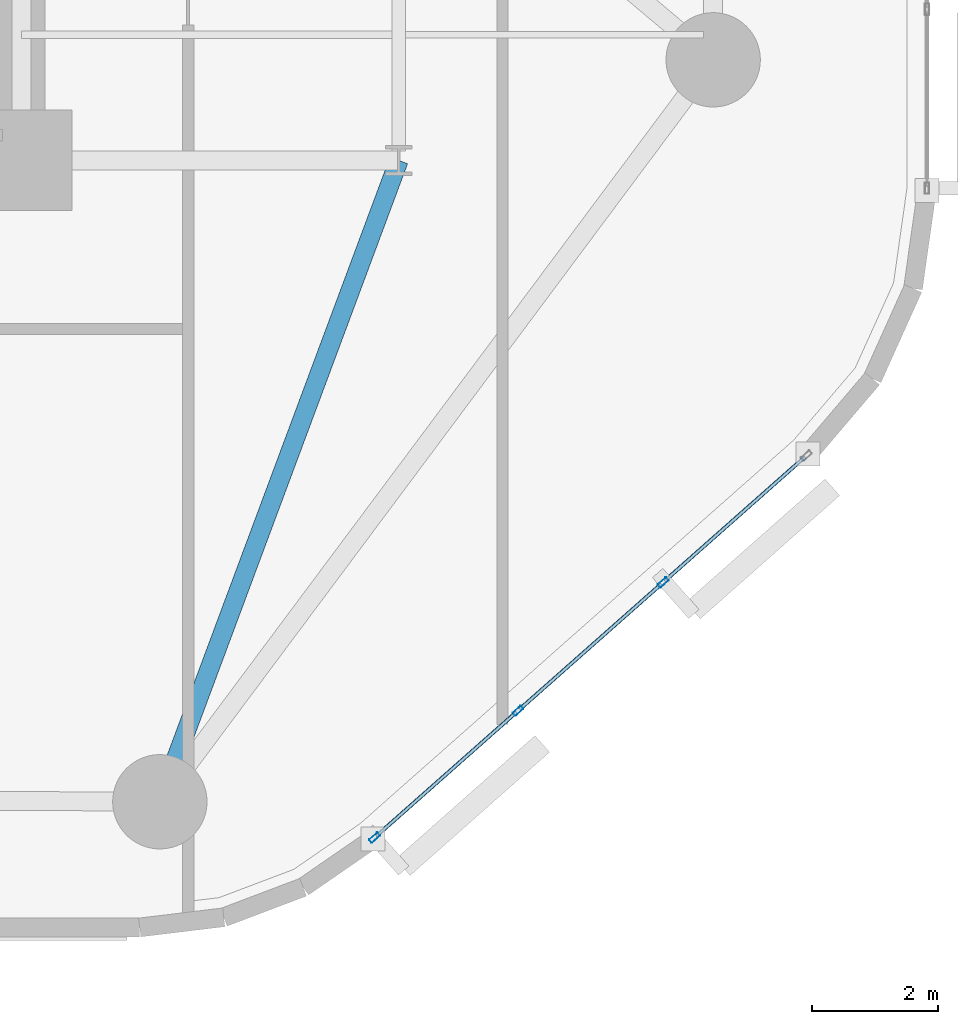
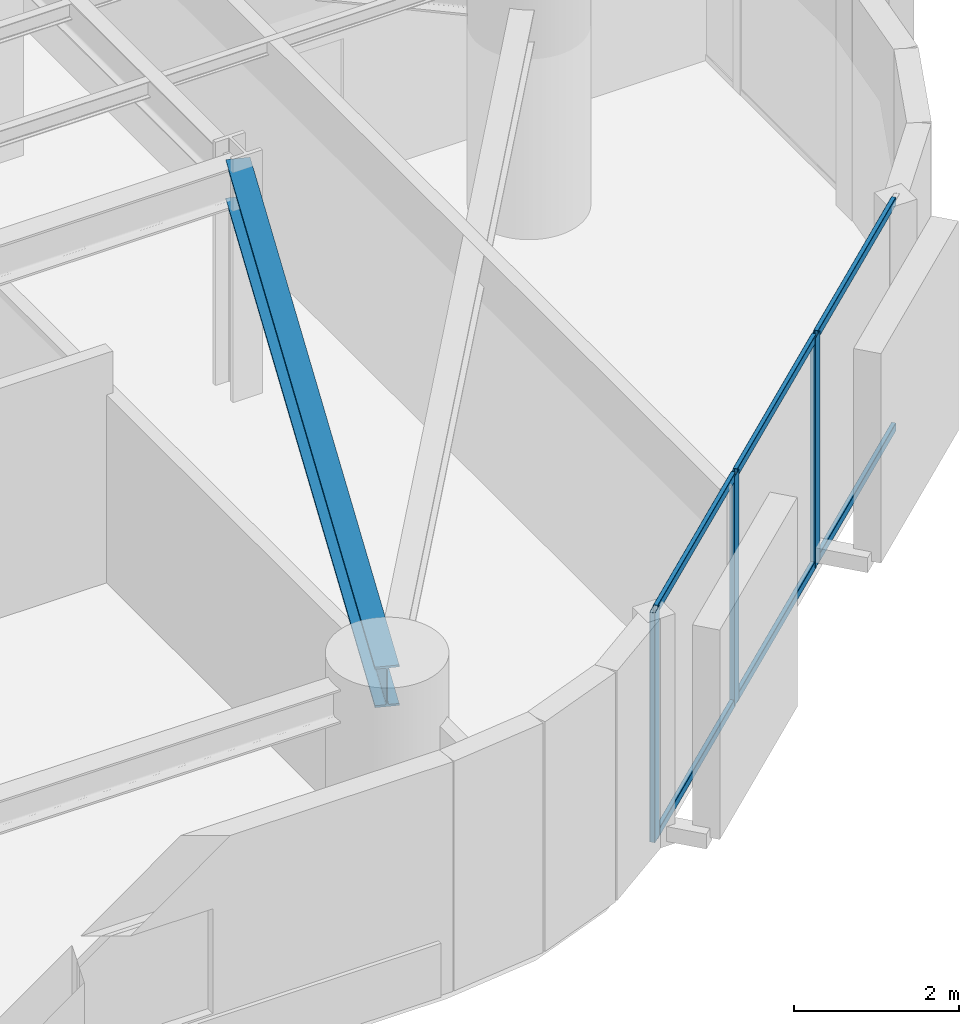
# One storey, part 2 of 16: 9 members, 1 beam, 1 element without a shape of its own.
"""IFC4 building model written with IfcOpenShell, lengths in metres."""

from ifc_helpers import new_model, si_unit, direction, frame, origin, origin_2d, place, context, subcontext, project, spatial, hollow_rectangle, i_section, extrude, material, layer, layer_set, material_profile, profile_set, type_object, element, aggregate, save


model = new_model("IFC4")

# Units and contexts
model_context = context("Model", 3, precision=1e-05, world=origin(), true_north=direction((0.0, 1.0)))
body_context = subcontext(model_context, "Body", "Model", "MODEL_VIEW")
ifc_project = project(units=[si_unit("LENGTHUNIT", "METRE"), si_unit("AREAUNIT", "SQUARE_METRE"), si_unit("VOLUMEUNIT", "CUBIC_METRE"), si_unit("PLANEANGLEUNIT", "RADIAN"), si_unit("MASSUNIT", "GRAM", prefix="KILO")], contexts=[model_context])

# Site, building, storey
site_placement = place(None, origin())
site = spatial("IfcSite", under=ifc_project, at=site_placement, CompositionType="ELEMENT")
building_placement = place(site_placement, origin())
building = spatial("IfcBuilding", under=site, at=building_placement, Name="An Khanh Terracotta Commons", CompositionType="ELEMENT")
storey_placement = place(building_placement, frame((0.0, 0.0, 54.0)))
storey = spatial("IfcBuildingStorey", under=building, at=storey_placement, Name="L14", CompositionType="ELEMENT", Elevation=54.0)

# Beam
ifc_material_1 = material(Name="Steel S355J2", Category="steel")
ifc_material_profile_1 = material_profile(ifc_material_1, i_section(OverallWidth=0.300048828125, OverallDepth=0.60009765625, WebThickness=0.015380859375, FlangeThickness=0.030029296875, FilletRadius=0.027099609375, at=origin_2d()), Name="HEB600")
ifc_profile_set_1 = profile_set([ifc_material_profile_1], Name="Steel S355J2")
beam_type = type_object("IfcBeamType", Name="BM-HEB600", PredefinedType="BEAM", material=ifc_profile_set_1)
beam_placement = place(storey_placement, frame((39.39990234375, 4.199951171875, 3.10009765625), z_axis=(0.349114429862, 0.937080100558, 0.0), x_axis=(-0.937080100558, 0.349114429862, 0.0)))
element("IfcBeam", 1, at=beam_placement, inside=storey, type_object=beam_type, Name="L14 Mega-Column Tie Girder 2", PredefinedType="BEAM", context=body_context, shape_type="SweptSolid", body=[
    extrude(i_section(OverallWidth=0.300048828125, OverallDepth=0.60009765625, WebThickness=0.015380859375, FlangeThickness=0.030029296875, FilletRadius=0.027099609375, at=origin_2d()), origin(), (0.0, 0.0, 1.0), 10.884765625),
])

# Curtain wall, members
ifc_material_2 = material(Name="Anodised Aluminium 6063-T6", Category="aluminium")
ifc_layer = layer(ifc_material_2, 0.199951171875, Name="Anodised Aluminium 6063-T6")
ifc_layer_set = layer_set([ifc_layer], Name="Anodised Aluminium 6063-T6")
curtain_wall_type = type_object("IfcCurtainWallType", Name="CW-SYS-02", PredefinedType="USERDEFINED", material=ifc_layer_set)
curtain_wall_placement = place(storey_placement, origin())
curtain_wall = element("IfcCurtainWall", 2, at=curtain_wall_placement, inside=storey, type_object=curtain_wall_type, Name="L14 CW-02 Unitised Curtain Wall CW-L14-08", ObjectType="UNITISED CURTAIN WALL", PredefinedType="USERDEFINED")
ifc_material_profile_2 = material_profile(ifc_material_2, hollow_rectangle(XDim=0.070068359375, YDim=0.179931640625, WallThickness=0.00390625, InnerFilletRadius=0.00390625, OuterFilletRadius=0.008056640625, at=origin_2d()), Name="RHS180x70x4")
ifc_profile_set_2 = profile_set([ifc_material_profile_2], Name="Anodised Aluminium 6063-T6")
member_type_1 = type_object("IfcMemberType", Name="CWM-RHS180x70x4", PredefinedType="MULLION", material=ifc_profile_set_2)
member_1_placement = place(storey_placement, frame((42.815185546875, 3.629150390625, 0.0), z_axis=(0.0, 0.0, 1.0), x_axis=(-0.662548195415, 0.749019284633, 0.0)))
member_1 = element("IfcMember", 3, at=member_1_placement, type_object=member_type_1, Name="CW-02 mullion 1", PredefinedType="MULLION", context=body_context, shape_type="SweptSolid", body=[
    extrude(hollow_rectangle(XDim=0.070068359375, YDim=0.179931640625, WallThickness=0.00390625, InnerFilletRadius=0.00390625, OuterFilletRadius=0.008056640625, at=origin_2d()), origin(), (0.0, 0.0, 1.0), 3.39990234375),
])
member_2_placement = place(storey_placement, frame((45.095947265625, 5.646728515625, 0.0), z_axis=(0.0, 0.0, 1.0), x_axis=(-0.662548195415, 0.749019284633, 0.0)))
member_2 = element("IfcMember", 4, at=member_2_placement, type_object=member_type_1, Name="CW-02 mullion 2", PredefinedType="MULLION", context=body_context, shape_type="SweptSolid", body=[
    extrude(hollow_rectangle(XDim=0.070068359375, YDim=0.179931640625, WallThickness=0.00390625, InnerFilletRadius=0.00390625, OuterFilletRadius=0.008056640625, at=origin_2d()), origin(), (0.0, 0.0, 1.0), 3.39990234375),
])
member_3_placement = place(storey_placement, frame((47.403076171875, 7.687255859375, 0.0), z_axis=(0.0, 0.0, 1.0), x_axis=(-0.662548195415, 0.749019284633, 0.0)))
member_3 = element("IfcMember", 5, at=member_3_placement, type_object=member_type_1, Name="CW-02 mullion 3", PredefinedType="MULLION", context=body_context, shape_type="SweptSolid", body=[
    extrude(hollow_rectangle(XDim=0.070068359375, YDim=0.179931640625, WallThickness=0.00390625, InnerFilletRadius=0.00390625, OuterFilletRadius=0.008056640625, at=origin_2d()), origin(), (0.0, 0.0, 1.0), 3.39990234375),
])
ifc_material_profile_3 = material_profile(ifc_material_2, hollow_rectangle(XDim=0.06005859375, YDim=0.1201171875, WallThickness=0.003662109375, InnerFilletRadius=0.003662109375, OuterFilletRadius=0.007080078125, at=origin_2d()), Name="RHS120x60x3.6")
ifc_profile_set_3 = profile_set([ifc_material_profile_3], Name="Anodised Aluminium 6063-T6")
member_type_2 = type_object("IfcMemberType", Name="CWT-RHS120x60x3.6", PredefinedType="USERDEFINED", material=ifc_profile_set_3)
member_4_placement = place(storey_placement, frame((42.841552734375, 3.65234375, 0.030029296875), z_axis=(0.74899186341, 0.662579194168, 0.0), x_axis=(-0.662579194168, 0.74899186341, 0.0)))
member_4 = element("IfcMember", 6, at=member_4_placement, type_object=member_type_2, Name="CW-02 transom 1.1", ObjectType="TRANSOM", PredefinedType="USERDEFINED", context=body_context, shape_type="SweptSolid", body=[
    extrude(hollow_rectangle(XDim=0.06005859375, YDim=0.1201171875, WallThickness=0.003662109375, InnerFilletRadius=0.003662109375, OuterFilletRadius=0.007080078125, at=origin_2d()), origin(), (0.0, 0.0, 1.0), 2.97509765625),
])
member_5_placement = place(storey_placement, frame((42.841552734375, 3.65234375, 3.3701171875), z_axis=(0.74899186341, 0.662579194168, 0.0), x_axis=(-0.662579194168, 0.74899186341, 0.0)))
member_5 = element("IfcMember", 7, at=member_5_placement, type_object=member_type_2, Name="CW-02 transom 1.2", ObjectType="TRANSOM", PredefinedType="USERDEFINED", context=body_context, shape_type="SweptSolid", body=[
    extrude(hollow_rectangle(XDim=0.06005859375, YDim=0.1201171875, WallThickness=0.003662109375, InnerFilletRadius=0.003662109375, OuterFilletRadius=0.007080078125, at=origin_2d()), origin(), (0.0, 0.0, 1.0), 2.97509765625),
])
member_6_placement = place(storey_placement, frame((45.122314453125, 5.669921875, 0.030029296875), z_axis=(0.749018237701, 0.662549378984, 0.0), x_axis=(-0.662549378984, 0.749018237701, 0.0)))
member_6 = element("IfcMember", 8, at=member_6_placement, type_object=member_type_2, Name="CW-02 transom 2.1", ObjectType="TRANSOM", PredefinedType="USERDEFINED", context=body_context, shape_type="SweptSolid", body=[
    extrude(hollow_rectangle(XDim=0.06005859375, YDim=0.1201171875, WallThickness=0.003662109375, InnerFilletRadius=0.003662109375, OuterFilletRadius=0.007080078125, at=origin_2d()), origin(), (0.0, 0.0, 1.0), 3.009765625),
])
member_7_placement = place(storey_placement, frame((45.122314453125, 5.669921875, 3.3701171875), z_axis=(0.749018237701, 0.662549378984, 0.0), x_axis=(-0.662549378984, 0.749018237701, 0.0)))
member_7 = element("IfcMember", 9, at=member_7_placement, type_object=member_type_2, Name="CW-02 transom 2.2", ObjectType="TRANSOM", PredefinedType="USERDEFINED", context=body_context, shape_type="SweptSolid", body=[
    extrude(hollow_rectangle(XDim=0.06005859375, YDim=0.1201171875, WallThickness=0.003662109375, InnerFilletRadius=0.003662109375, OuterFilletRadius=0.007080078125, at=origin_2d()), origin(), (0.0, 0.0, 1.0), 3.009765625),
])
member_8_placement = place(storey_placement, frame((47.42919921875, 7.71044921875, 0.030029296875), z_axis=(0.74899186341, 0.662579194168, 0.0), x_axis=(-0.662579194168, 0.74899186341, 0.0)))
member_8 = element("IfcMember", 10, at=member_8_placement, type_object=member_type_2, Name="CW-02 transom 3.1", ObjectType="TRANSOM", PredefinedType="USERDEFINED", context=body_context, shape_type="SweptSolid", body=[
    extrude(hollow_rectangle(XDim=0.06005859375, YDim=0.1201171875, WallThickness=0.003662109375, InnerFilletRadius=0.003662109375, OuterFilletRadius=0.007080078125, at=origin_2d()), origin(), (0.0, 0.0, 1.0), 2.97509765625),
])
member_9_placement = place(storey_placement, frame((47.42919921875, 7.71044921875, 3.3701171875), z_axis=(0.74899186341, 0.662579194168, 0.0), x_axis=(-0.662579194168, 0.74899186341, 0.0)))
member_9 = element("IfcMember", 11, at=member_9_placement, type_object=member_type_2, Name="CW-02 transom 3.2", ObjectType="TRANSOM", PredefinedType="USERDEFINED", context=body_context, shape_type="SweptSolid", body=[
    extrude(hollow_rectangle(XDim=0.06005859375, YDim=0.1201171875, WallThickness=0.003662109375, InnerFilletRadius=0.003662109375, OuterFilletRadius=0.007080078125, at=origin_2d()), origin(), (0.0, 0.0, 1.0), 2.97509765625),
])
aggregate(curtain_wall, [member_1, member_2, member_3, member_4, member_5, member_6, member_7, member_8, member_9])

save(model, "model.ifc")
